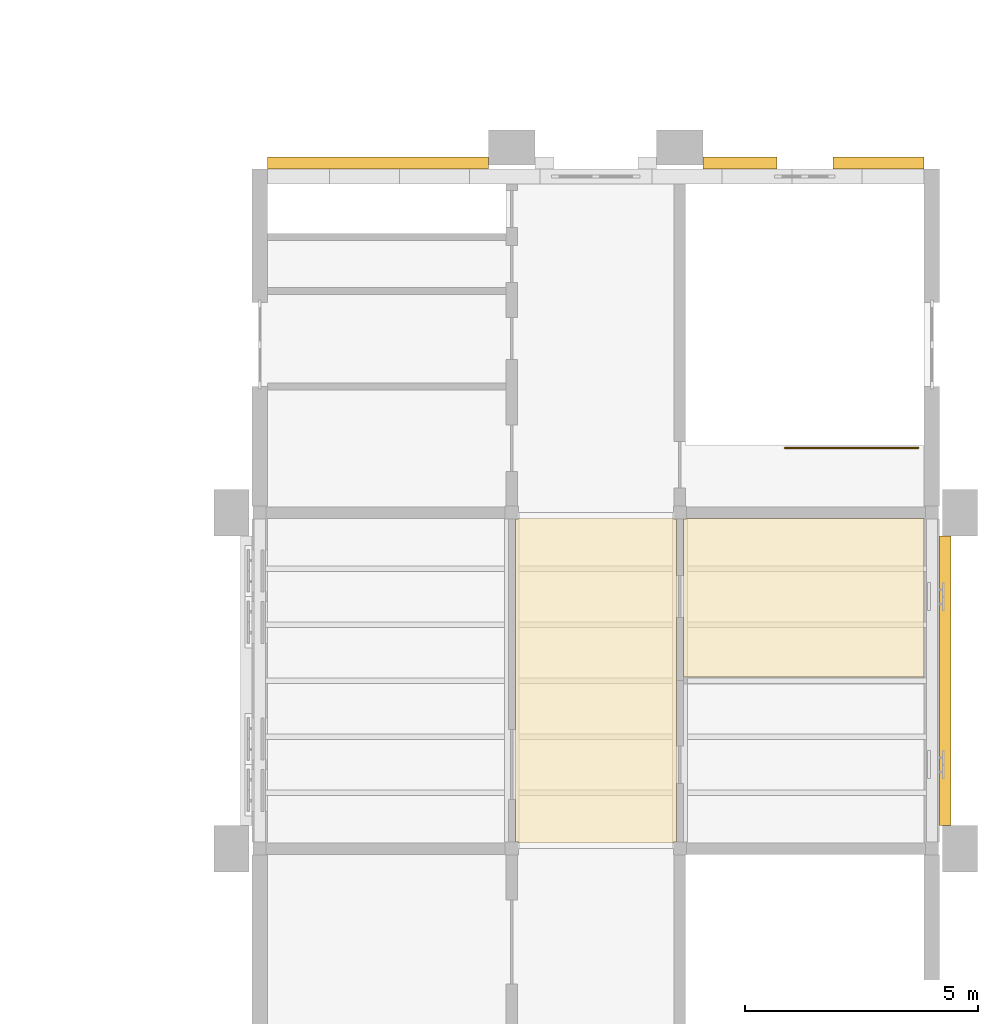
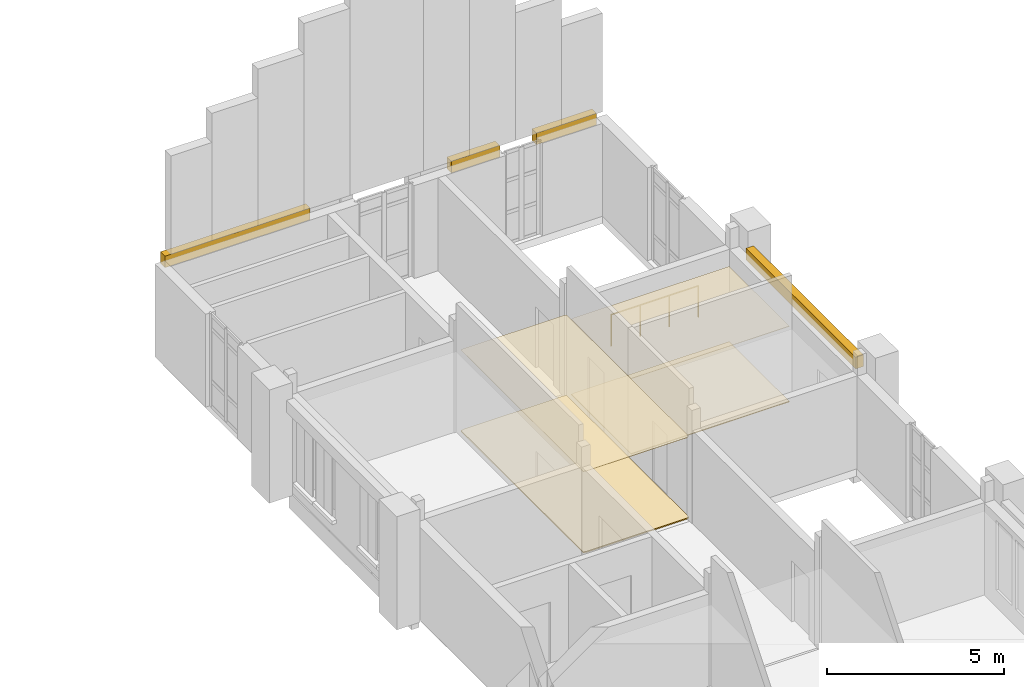
# One storey, part 67 of 71: 8 coverings, 1 railing.
"""IFC4 building model written with IfcOpenShell, lengths in metres."""

from ifc_helpers import new_model, si_unit, direction, frame, origin, origin_2d, place, context, subcontext, project, spatial, polyline, circle, outline, extrude, material, layer, layer_set, type_object, element, save


model = new_model("IFC4")

# Units and contexts
model_context = context("Model", 3, precision=1e-05, world=origin(), true_north=direction((0.0, 1.0)))
body_context = subcontext(model_context, "Body", "Model", "MODEL_VIEW")
ifc_project = project(units=[si_unit("LENGTHUNIT", "METRE"), si_unit("AREAUNIT", "SQUARE_METRE"), si_unit("VOLUMEUNIT", "CUBIC_METRE"), si_unit("PLANEANGLEUNIT", "RADIAN"), si_unit("MASSUNIT", "GRAM", prefix="KILO")], contexts=[model_context])

# Site, building, storey
site_placement = place(None, origin())
site = spatial("IfcSite", under=ifc_project, at=site_placement, CompositionType="ELEMENT")
building_placement = place(site_placement, origin())
building = spatial("IfcBuilding", under=site, at=building_placement, Name="Mazhai Court Health Centre", CompositionType="ELEMENT")
storey_placement = place(building_placement, frame((0.0, 0.0, 10.199951171875)))
storey = spatial("IfcBuildingStorey", under=building, at=storey_placement, Name="L02", CompositionType="ELEMENT", Elevation=10.199951171875)

# Coverings
ifc_material_1 = material(Name="Clay brick masonry", Category="masonry")
ifc_layer_1 = layer(ifc_material_1, 0.25)
ifc_layer_set_1 = layer_set([ifc_layer_1], Name="BRICK BAND 250")
covering_type_1 = type_object("IfcCoveringType", Name="BRICK BAND 250", PredefinedType="MOLDING", material=ifc_layer_set_1)
covering_1_placement = place(storey_placement, frame((0.0, 0.0, 2.949951171875)))
element("IfcCovering", 1, at=covering_1_placement, inside=storey, type_object=covering_type_1, Name="EB-V6-L02-B4p0-0", PredefinedType="MOLDING", context=body_context, shape_type="SweptSolid", body=[
    extrude(outline(polyline([(150.364990234375, 41.699951171875), (150.364990234375, 35.5), (150.614990234375, 35.5), (150.614990234375, 41.699951171875), (150.364990234375, 41.699951171875)])), origin(), (0.0, 0.0, 1.0), 0.400146484375),
])
covering_2_placement = place(storey_placement, frame((0.0, 0.0, 2.949951171875)))
element("IfcCovering", 2, at=covering_2_placement, inside=storey, type_object=covering_type_1, Name="EB-V6-L02-Ep0-0", PredefinedType="MOLDING", context=body_context, shape_type="SweptSolid", body=[
    extrude(outline(polyline([(135.965087890625, 49.56494140625), (140.699951171875, 49.56494140625), (140.699951171875, 49.81494140625), (135.965087890625, 49.81494140625), (135.965087890625, 49.56494140625)])), origin(), (0.0, 0.0, 1.0), 0.400146484375),
])
covering_3_placement = place(storey_placement, frame((0.0, 0.0, 2.949951171875)))
element("IfcCovering", 3, at=covering_3_placement, inside=storey, type_object=covering_type_1, Name="EB-V6-L02-Ep1-1", PredefinedType="MOLDING", context=body_context, shape_type="SweptSolid", body=[
    extrude(outline(polyline([(145.300048828125, 49.56494140625), (146.8798828125, 49.56494140625), (146.8798828125, 49.81494140625), (145.300048828125, 49.81494140625), (145.300048828125, 49.56494140625)])), origin(), (0.0, 0.0, 1.0), 0.400146484375),
])
covering_4_placement = place(storey_placement, frame((0.0, 0.0, 2.949951171875)))
element("IfcCovering", 4, at=covering_4_placement, inside=storey, type_object=covering_type_1, Name="EB-V6-L02-Ep2-0", PredefinedType="MOLDING", context=body_context, shape_type="SweptSolid", body=[
    extrude(outline(polyline([(148.080078125, 49.56494140625), (150.034912109375, 49.56494140625), (150.034912109375, 49.81494140625), (148.080078125, 49.81494140625), (148.080078125, 49.56494140625)])), origin(), (0.0, 0.0, 1.0), 0.400146484375),
])
ifc_material_2 = material(Name="Mineral fibre ceiling tile")
ifc_layer_2 = layer(ifc_material_2, 0.014892578125)
ifc_layer_set_2 = layer_set([ifc_layer_2], Name="CEILING MINERAL FIBRE TILE 15")
covering_type_2 = type_object("IfcCoveringType", Name="CEILING MINERAL FIBRE TILE 15", PredefinedType="CEILING", material=ifc_layer_set_2)
covering_5_placement = place(storey_placement, frame((0.0, 0.0, 2.800048828125)))
element("IfcCovering", 5, at=covering_5_placement, inside=storey, type_object=covering_type_2, Name="ceil-V6-L02-corridor-1", PredefinedType="CEILING", context=body_context, shape_type="SweptSolid", body=[
    extrude(outline(polyline([(144.659912109375, 35.125), (144.659912109375, 35.139892578125), (144.72509765625, 35.139892578125), (144.72509765625, 42.06005859375), (144.659912109375, 42.06005859375), (144.659912109375, 42.074951171875), (141.340087890625, 42.074951171875), (141.340087890625, 42.06005859375), (141.27490234375, 42.06005859375), (141.27490234375, 35.139892578125), (141.340087890625, 35.139892578125), (141.340087890625, 35.125), (144.659912109375, 35.125)])), origin(), (0.0, 0.0, 1.0), 0.014892578125),
])
ifc_material_3 = material(Name="Moisture resistant gypsum ceiling")
ifc_layer_3 = layer(ifc_material_3, 0.014892578125)
ifc_layer_set_3 = layer_set([ifc_layer_3], Name="CEILING MOISTURE RESISTANT BOARD 15")
covering_type_3 = type_object("IfcCoveringType", Name="CEILING MOISTURE RESISTANT BOARD 15", PredefinedType="CEILING", material=ifc_layer_set_3)
covering_6_placement = place(storey_placement, frame((0.0, 0.0, 2.60009765625)))
element("IfcCovering", 6, at=covering_6_placement, inside=storey, type_object=covering_type_3, Name="ceil-V6-L02-B1-accessible-wc", PredefinedType="CEILING", context=body_context, shape_type="SweptSolid", body=[
    extrude(outline(polyline([(144.93994140625, 42.074951171875), (144.93994140625, 42.06005859375), (144.875, 42.06005859375), (144.875, 38.675048828125), (150.034912109375, 38.675048828125), (150.034912109375, 42.074951171875), (144.93994140625, 42.074951171875)])), origin(), (0.0, 0.0, 1.0), 0.014892578125),
])
ifc_material_4 = material(Name="Porcelain tile flooring")
ifc_layer_4 = layer(ifc_material_4, 0.02490234375)
ifc_layer_set_4 = layer_set([ifc_layer_4], Name="FLOOR FINISH PORCELAIN TILE FLOORING 25")
covering_type_4 = type_object("IfcCoveringType", Name="FLOOR FINISH PORCELAIN TILE FLOORING 25", PredefinedType="FLOORING", material=ifc_layer_set_4)
covering_7_placement = place(storey_placement, origin())
element("IfcCovering", 7, at=covering_7_placement, inside=storey, type_object=covering_type_4, Name="floor-V6-L02-B1-accessible-wc", PredefinedType="FLOORING", context=body_context, shape_type="SweptSolid", body=[
    extrude(outline(polyline([(144.93994140625, 42.074951171875), (144.93994140625, 42.06005859375), (144.875, 42.06005859375), (144.875, 38.675048828125), (150.034912109375, 38.675048828125), (150.034912109375, 42.074951171875), (144.93994140625, 42.074951171875)])), origin(), (0.0, 0.0, 1.0), 0.025146484375),
])
ifc_material_5 = material(Name="Terrazzo flooring")
ifc_layer_5 = layer(ifc_material_5, 0.0400390625)
ifc_layer_set_5 = layer_set([ifc_layer_5], Name="FLOOR FINISH TERRAZZO FLOORING 40")
covering_type_5 = type_object("IfcCoveringType", Name="FLOOR FINISH TERRAZZO FLOORING 40", PredefinedType="FLOORING", material=ifc_layer_set_5)
covering_8_placement = place(storey_placement, origin())
element("IfcCovering", 8, at=covering_8_placement, inside=storey, type_object=covering_type_5, Name="floor-V6-L02-corridor-1", PredefinedType="FLOORING", context=body_context, shape_type="SweptSolid", body=[
    extrude(outline(polyline([(144.659912109375, 35.125), (144.659912109375, 35.139892578125), (144.72509765625, 35.139892578125), (144.72509765625, 42.06005859375), (144.659912109375, 42.06005859375), (144.659912109375, 42.074951171875), (141.340087890625, 42.074951171875), (141.340087890625, 42.06005859375), (141.27490234375, 42.06005859375), (141.27490234375, 35.139892578125), (141.340087890625, 35.139892578125), (141.340087890625, 35.125), (144.659912109375, 35.125)])), origin(), (0.0, 0.0, 1.0), 0.0400390625),
])

# Railing
ifc_material_6 = material(Name="Steel IS 2062 E250", Category="steel")
railing_type = type_object("IfcRailingType", Name="STAIR GUARD 1100", PredefinedType="GUARDRAIL", material=ifc_material_6)
railing_placement = place(storey_placement, frame((149.905029296875, 43.5849609375, 0.0)))
element("IfcRailing", 9, at=railing_placement, inside=storey, type_object=railing_type, Name="L02 ST10 top well guard 1", PredefinedType="GUARDRAIL", context=body_context, shape_type="SweptSolid", body=[
    extrude(circle(Radius=0.02392578125, at=origin_2d()), frame((0.0, 0.0, 1.076171875), z_axis=(-1.0, 0.0, 0.0), x_axis=(0.0, -1.0, 0.0)), (0.0, 0.0, 1.0), 2.85009765625),
    extrude(circle(Radius=0.02099609375, at=origin_2d()), origin(), (0.0, 0.0, 1.0), 1.052001953125),
    extrude(circle(Radius=0.02099609375, at=origin_2d()), frame((-0.949951171875, 0.0, 0.0)), (0.0, 0.0, 1.0), 1.052001953125),
    extrude(circle(Radius=0.02099609375, at=origin_2d()), frame((-1.900146484375, 0.0, 0.0)), (0.0, 0.0, 1.0), 1.052001953125),
    extrude(circle(Radius=0.02099609375, at=origin_2d()), frame((-2.85009765625, 0.0, 0.0)), (0.0, 0.0, 1.0), 1.052001953125),
])

save(model, "model.ifc")
